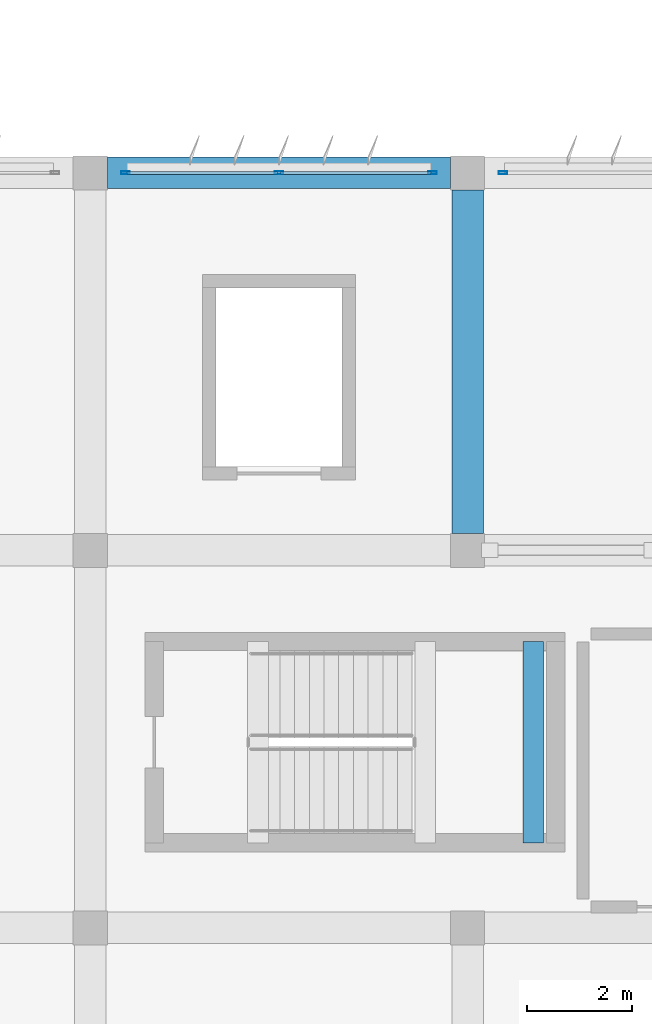
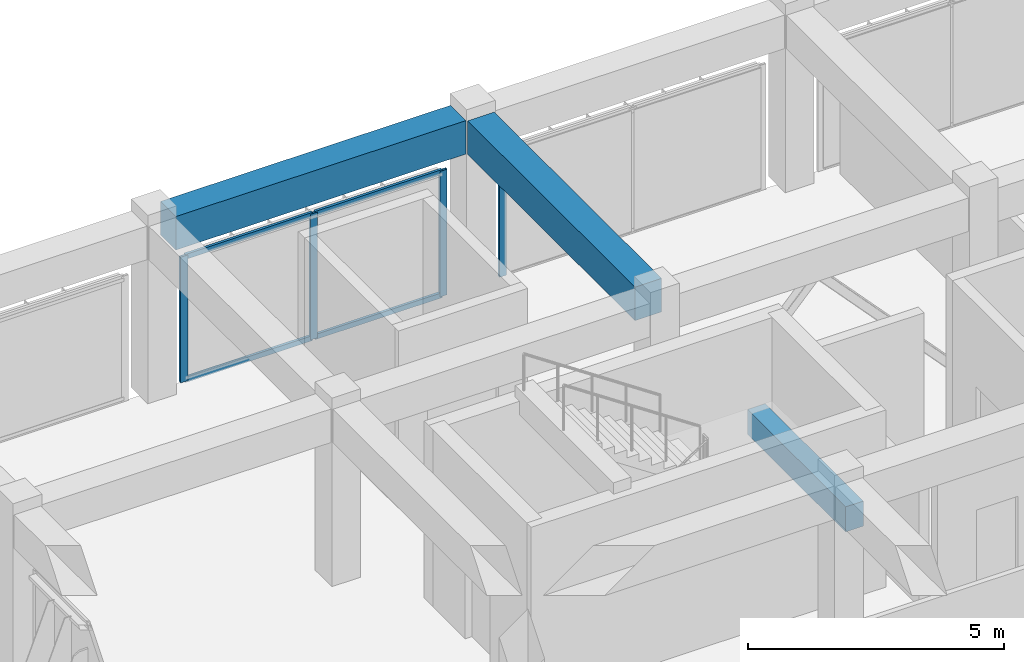
# One storey, part 14 of 56: 8 members, 3 beams, 2 elements without a shape of their own.
"""IFC4 building model written with IfcOpenShell, lengths in metres."""

from ifc_helpers import new_model, si_unit, direction, frame, origin, origin_2d, place, context, subcontext, project, spatial, rectangle, hollow_rectangle, extrude, material, material_profile, profile_set, type_object, element, aggregate, save


model = new_model("IFC4")

# Units and contexts
model_context = context("Model", 3, precision=1e-05, world=origin(), true_north=direction((0.0, 1.0)))
body_context = subcontext(model_context, "Body", "Model", "MODEL_VIEW")
ifc_project = project(units=[si_unit("LENGTHUNIT", "METRE"), si_unit("AREAUNIT", "SQUARE_METRE"), si_unit("VOLUMEUNIT", "CUBIC_METRE"), si_unit("PLANEANGLEUNIT", "RADIAN"), si_unit("MASSUNIT", "GRAM", prefix="KILO")], contexts=[model_context])

# Site, building, storey
site_placement = place(None, origin())
site = spatial("IfcSite", under=ifc_project, at=site_placement, CompositionType="ELEMENT")
building_placement = place(site_placement, origin())
building = spatial("IfcBuilding", under=site, at=building_placement, Name="Kazehaya Institute of Natural Sciences", CompositionType="ELEMENT")
storey_placement = place(building_placement, frame((0.0, 0.0, 28.800048828125)))
storey = spatial("IfcBuildingStorey", under=building, at=storey_placement, Name="L06", CompositionType="ELEMENT", Elevation=28.800048828125)

# Beams
ifc_material_1 = material(Name="Concrete Fc36", Category="concrete")
ifc_material_profile_1 = material_profile(ifc_material_1, rectangle(XDim=0.39990234375, YDim=0.60009765625, at=origin_2d()), Name="RC-400x600")
ifc_profile_set_1 = profile_set([ifc_material_profile_1], Name="Concrete Fc36")
beam_type_1 = type_object("IfcBeamType", Name="BM-B-400x600", PredefinedType="BEAM", material=ifc_profile_set_1)
beam_1_placement = place(storey_placement, frame((70.25, 22.820068359375, 1.7900390625), z_axis=(0.0, 1.0, 0.0), x_axis=(-1.0, 0.0, 0.0)))
element("IfcBeam", 1, at=beam_1_placement, inside=storey, type_object=beam_type_1, Name="L06 ST-1 landing beam 2", PredefinedType="BEAM", context=body_context, shape_type="SweptSolid", body=[
    extrude(rectangle(XDim=0.39990234375, YDim=0.60009765625, at=origin_2d()), origin(), (0.0, 0.0, 1.0), 3.83984375),
])
ifc_material_profile_2 = material_profile(ifc_material_1, rectangle(XDim=0.60009765625, YDim=0.800048828125, at=origin_2d()), Name="RC-600x800")
ifc_profile_set_2 = profile_set([ifc_material_profile_2], Name="Concrete Fc36")
beam_type_2 = type_object("IfcBeamType", Name="BM-G-600x800", PredefinedType="BEAM", material=ifc_profile_set_2)
beam_2_placement = place(storey_placement, frame((62.125, 35.60009765625, 3.829833984375), z_axis=(1.0, 0.0, 0.0), x_axis=(0.0, 1.0, 0.0)))
element("IfcBeam", 2, at=beam_2_placement, inside=storey, type_object=beam_type_2, Name="L06 primary X girder BMX-L06-618-356", PredefinedType="BEAM", context=body_context, shape_type="SweptSolid", body=[
    extrude(rectangle(XDim=0.60009765625, YDim=0.800048828125, at=origin_2d()), origin(), (0.0, 0.0, 1.0), 6.550048828125),
])
beam_3_placement = place(storey_placement, frame((69.0, 28.72509765625, 3.829833984375), z_axis=(0.0, 1.0, 0.0), x_axis=(-1.0, 0.0, 0.0)))
element("IfcBeam", 3, at=beam_3_placement, inside=storey, type_object=beam_type_2, Name="L06 primary Y girder BMY-L06-690-284", PredefinedType="BEAM", context=body_context, shape_type="SweptSolid", body=[
    extrude(rectangle(XDim=0.60009765625, YDim=0.800048828125, at=origin_2d()), origin(), (0.0, 0.0, 1.0), 6.5498046875),
])

# Curtain wall, members
ifc_material_2 = material(Name="Aluminium alloy A6063S-T5", Category="aluminium")
curtain_wall_type = type_object("IfcCurtainWallType", Name="CW-SYS-04", PredefinedType="NOTDEFINED", material=ifc_material_2)
curtain_wall_1_placement = place(storey_placement, origin())
curtain_wall_1 = element("IfcCurtainWall", 4, at=curtain_wall_1_placement, inside=storey, type_object=curtain_wall_type, Name="L06 unitised curtain wall CW-L06-130", PredefinedType="NOTDEFINED")
ifc_material_profile_3 = material_profile(ifc_material_2, hollow_rectangle(XDim=0.06005859375, YDim=0.159912109375, WallThickness=0.00390625, at=origin_2d()), Name="ALU-60x160x4")
ifc_profile_set_3 = profile_set([ifc_material_profile_3], Name="Aluminium alloy A6063S-T5")
member_type_1 = type_object("IfcMemberType", Name="CWM-160", PredefinedType="MULLION", material=ifc_profile_set_3)
member_1_placement = place(storey_placement, frame((62.469970703125, 35.60009765625, 0.0), z_axis=(0.0, 0.0, 1.0), x_axis=(0.0, 1.0, 0.0)))
member_1 = element("IfcMember", 5, at=member_1_placement, type_object=member_type_1, Name="CW04 mullion 1", PredefinedType="MULLION", context=body_context, shape_type="SweptSolid", body=[
    extrude(hollow_rectangle(XDim=0.06005859375, YDim=0.159912109375, WallThickness=0.00390625, at=origin_2d()), origin(), (0.0, 0.0, 1.0), 3.0),
])
member_2_placement = place(storey_placement, frame((65.39990234375, 35.60009765625, 0.0), z_axis=(0.0, 0.0, 1.0), x_axis=(0.0, 1.0, 0.0)))
member_2 = element("IfcMember", 6, at=member_2_placement, type_object=member_type_1, Name="CW04 mullion 2", PredefinedType="MULLION", context=body_context, shape_type="SweptSolid", body=[
    extrude(hollow_rectangle(XDim=0.06005859375, YDim=0.159912109375, WallThickness=0.00390625, at=origin_2d()), origin(), (0.0, 0.0, 1.0), 3.0),
])
member_3_placement = place(storey_placement, frame((68.330078125, 35.60009765625, 0.0), z_axis=(0.0, 0.0, 1.0), x_axis=(0.0, 1.0, 0.0)))
member_3 = element("IfcMember", 7, at=member_3_placement, type_object=member_type_1, Name="CW04 mullion 3", PredefinedType="MULLION", context=body_context, shape_type="SweptSolid", body=[
    extrude(hollow_rectangle(XDim=0.06005859375, YDim=0.159912109375, WallThickness=0.00390625, at=origin_2d()), origin(), (0.0, 0.0, 1.0), 3.0),
])

# Curtain wall, member
curtain_wall_2_placement = place(storey_placement, origin())
curtain_wall_2 = element("IfcCurtainWall", 8, at=curtain_wall_2_placement, inside=storey, type_object=curtain_wall_type, Name="L06 unitised curtain wall CW-L06-131", PredefinedType="NOTDEFINED")
member_4_placement = place(storey_placement, frame((69.669921875, 35.60009765625, 0.0), z_axis=(0.0, 0.0, 1.0), x_axis=(0.0, 1.0, 0.0)))
member_4 = element("IfcMember", 9, at=member_4_placement, type_object=member_type_1, Name="CW04 mullion 1", PredefinedType="MULLION", context=body_context, shape_type="SweptSolid", body=[
    extrude(hollow_rectangle(XDim=0.06005859375, YDim=0.159912109375, WallThickness=0.00390625, at=origin_2d()), origin(), (0.0, 0.0, 1.0), 3.0),
])
aggregate(curtain_wall_2, [member_4])

# Member
ifc_material_profile_4 = material_profile(ifc_material_2, hollow_rectangle(XDim=0.06005859375, YDim=0.1201171875, WallThickness=0.00341796875, at=origin_2d()), Name="ALU-60x120x3.5")
ifc_profile_set_4 = profile_set([ifc_material_profile_4], Name="Aluminium alloy A6063S-T5")
member_type_2 = type_object("IfcMemberType", Name="CWT-120", PredefinedType="USERDEFINED", material=ifc_profile_set_4)
member_5_placement = place(storey_placement, frame((62.5, 35.60009765625, 0.030029296875), z_axis=(1.0, 0.0, 0.0), x_axis=(0.0, 1.0, 0.0)))
member_5 = element("IfcMember", 10, at=member_5_placement, type_object=member_type_2, Name="CW04 transom 1.1", ObjectType="TRANSOM", PredefinedType="USERDEFINED", context=body_context, shape_type="SweptSolid", body=[
    extrude(hollow_rectangle(XDim=0.06005859375, YDim=0.1201171875, WallThickness=0.00341796875, at=origin_2d()), origin(), (0.0, 0.0, 1.0), 2.8701171875),
])

member_6_placement = place(storey_placement, frame((62.5, 35.60009765625, 2.969970703125), z_axis=(1.0, 0.0, 0.0), x_axis=(0.0, 1.0, 0.0)))
member_6 = element("IfcMember", 11, at=member_6_placement, type_object=member_type_2, Name="CW04 transom 1.2", ObjectType="TRANSOM", PredefinedType="USERDEFINED", context=body_context, shape_type="SweptSolid", body=[
    extrude(hollow_rectangle(XDim=0.06005859375, YDim=0.1201171875, WallThickness=0.00341796875, at=origin_2d()), origin(), (0.0, 0.0, 1.0), 2.8701171875),
])

member_7_placement = place(storey_placement, frame((65.429931640625, 35.60009765625, 0.030029296875), z_axis=(1.0, 0.0, 0.0), x_axis=(0.0, 1.0, 0.0)))
member_7 = element("IfcMember", 12, at=member_7_placement, type_object=member_type_2, Name="CW04 transom 2.1", ObjectType="TRANSOM", PredefinedType="USERDEFINED", context=body_context, shape_type="SweptSolid", body=[
    extrude(hollow_rectangle(XDim=0.06005859375, YDim=0.1201171875, WallThickness=0.00341796875, at=origin_2d()), origin(), (0.0, 0.0, 1.0), 2.8701171875),
])

member_8_placement = place(storey_placement, frame((65.429931640625, 35.60009765625, 2.969970703125), z_axis=(1.0, 0.0, 0.0), x_axis=(0.0, 1.0, 0.0)))
member_8 = element("IfcMember", 13, at=member_8_placement, type_object=member_type_2, Name="CW04 transom 2.2", ObjectType="TRANSOM", PredefinedType="USERDEFINED", context=body_context, shape_type="SweptSolid", body=[
    extrude(hollow_rectangle(XDim=0.06005859375, YDim=0.1201171875, WallThickness=0.00341796875, at=origin_2d()), origin(), (0.0, 0.0, 1.0), 2.8701171875),
])

aggregate(curtain_wall_1, [member_1, member_2, member_3, member_5, member_6, member_7, member_8])

save(model, "model.ifc")
